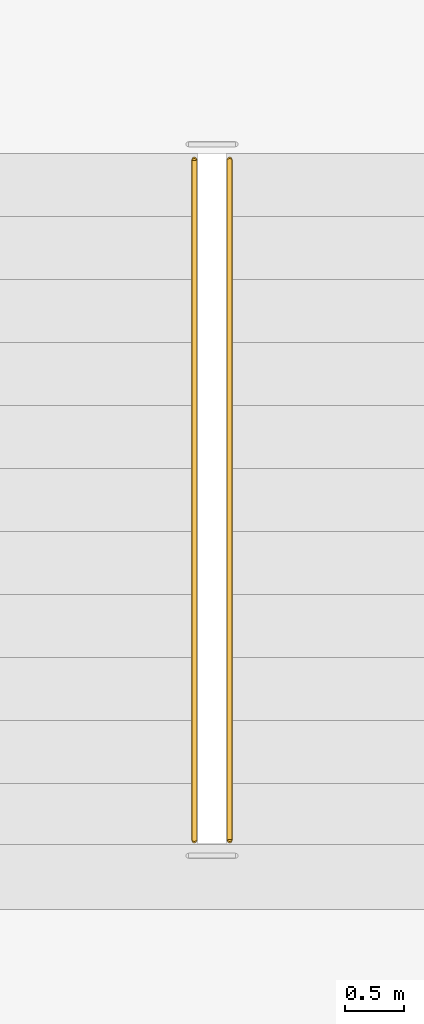
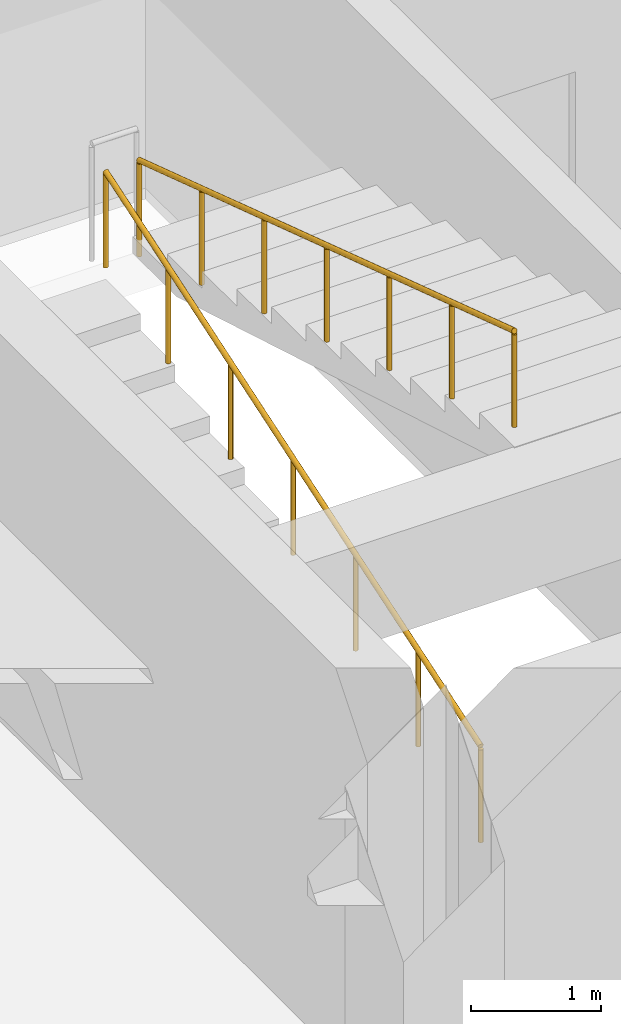
# One storey, part 17 of 19: 2 railings.
"""IFC4 building model written with IfcOpenShell, lengths in metres."""

from ifc_helpers import new_model, si_unit, direction, frame, origin, origin_2d, place, context, subcontext, project, spatial, circle, extrude, material, layer, layer_set, type_object, element, save


model = new_model("IFC4")

# Units and contexts
model_context = context("Model", 3, precision=1e-05, world=origin(), true_north=direction((0.0, 1.0)))
body_context = subcontext(model_context, "Body", "Model", "MODEL_VIEW")
ifc_project = project(units=[si_unit("LENGTHUNIT", "METRE"), si_unit("AREAUNIT", "SQUARE_METRE"), si_unit("VOLUMEUNIT", "CUBIC_METRE"), si_unit("PLANEANGLEUNIT", "RADIAN"), si_unit("MASSUNIT", "GRAM", prefix="KILO")], contexts=[model_context])

# Site, building, storey
site_placement = place(None, origin())
site = spatial("IfcSite", under=ifc_project, at=site_placement, CompositionType="ELEMENT")
building_placement = place(site_placement, origin())
building = spatial("IfcBuilding", under=site, at=building_placement, Name="Girod Span Mobility Hub", CompositionType="ELEMENT")
storey_placement = place(building_placement, frame((0.0, 0.0, 9.60009765625)))
storey = spatial("IfcBuildingStorey", under=building, at=storey_placement, Name="L02", CompositionType="ELEMENT", Elevation=9.60009765625)

# Railings
ifc_material = material(Name="Painted Galvanised Steel", Category="steel")
ifc_layer = layer(ifc_material, 0.050048828125)
ifc_layer_set = layer_set([ifc_layer], Name="Painted Galvanised Steel")
railing_type = type_object("IfcRailingType", Name="RL-HR-920", PredefinedType="HANDRAIL", material=ifc_layer_set)
railing_1_placement = place(storey_placement, frame((110.14990234375, 59.860107421875, 0.0)))
element("IfcRailing", 1, at=railing_1_placement, inside=storey, type_object=railing_type, Name="Stair ST-2 Flight 1 Handrail L02", PredefinedType="HANDRAIL", context=body_context, shape_type="SweptSolid", body=[
    extrude(circle(Radius=0.02392578125, at=origin_2d()), frame((0.0, 0.0, 0.89599609375), z_axis=(0.0, 0.949991280403, 0.312276427477), x_axis=(-1.0, 0.0, 0.0)), (0.0, 0.0, 1.0), 6.083984375),
    extrude(circle(Radius=0.02099609375, at=origin_2d()), origin(), (0.0, 0.0, 1.0), 0.871826171875),
    extrude(circle(Radius=0.02099609375, at=origin_2d()), frame((0.0, 0.96337890625, 0.316650390625)), (0.0, 0.0, 1.0), 0.871826171875),
    extrude(circle(Radius=0.02099609375, at=origin_2d()), frame((0.0, 1.926513671875, 0.63330078125)), (0.0, 0.0, 1.0), 0.871826171875),
    extrude(circle(Radius=0.02099609375, at=origin_2d()), frame((0.0, 2.889892578125, 0.949951171875)), (0.0, 0.0, 1.0), 0.871826171875),
    extrude(circle(Radius=0.02099609375, at=origin_2d()), frame((0.0, 3.853271484375, 1.2666015625)), (0.0, 0.0, 1.0), 0.871826171875),
    extrude(circle(Radius=0.02099609375, at=origin_2d()), frame((0.0, 4.81640625, 1.583251953125)), (0.0, 0.0, 1.0), 0.871826171875),
    extrude(circle(Radius=0.02099609375, at=origin_2d()), frame((0.0, 5.77978515625, 1.89990234375)), (0.0, 0.0, 1.0), 0.871826171875),
])
railing_2_placement = place(storey_placement, frame((110.449951171875, 65.639892578125, 1.89990234375)))
element("IfcRailing", 2, at=railing_2_placement, inside=storey, type_object=railing_type, Name="Stair ST-2 Flight 2 Handrail L02", PredefinedType="HANDRAIL", context=body_context, shape_type="SweptSolid", body=[
    extrude(circle(Radius=0.02392578125, at=origin_2d()), frame((0.0, 0.0, 0.89599609375), z_axis=(0.0, -0.949991280403, 0.312276427477), x_axis=(1.0, 0.0, 0.0)), (0.0, 0.0, 1.0), 6.083984375),
    extrude(circle(Radius=0.02099609375, at=origin_2d()), origin(), (0.0, 0.0, 1.0), 0.871826171875),
    extrude(circle(Radius=0.02099609375, at=origin_2d()), frame((0.0, -0.96337890625, 0.316650390625)), (0.0, 0.0, 1.0), 0.871826171875),
    extrude(circle(Radius=0.02099609375, at=origin_2d()), frame((0.0, -1.926513671875, 0.63330078125)), (0.0, 0.0, 1.0), 0.871826171875),
    extrude(circle(Radius=0.02099609375, at=origin_2d()), frame((0.0, -2.889892578125, 0.949951171875)), (0.0, 0.0, 1.0), 0.871826171875),
    extrude(circle(Radius=0.02099609375, at=origin_2d()), frame((0.0, -3.853271484375, 1.2666015625)), (0.0, 0.0, 1.0), 0.871826171875),
    extrude(circle(Radius=0.02099609375, at=origin_2d()), frame((0.0, -4.81640625, 1.583251953125)), (0.0, 0.0, 1.0), 0.871826171875),
    extrude(circle(Radius=0.02099609375, at=origin_2d()), frame((0.0, -5.77978515625, 1.89990234375)), (0.0, 0.0, 1.0), 0.871826171875),
])

save(model, "model.ifc")
